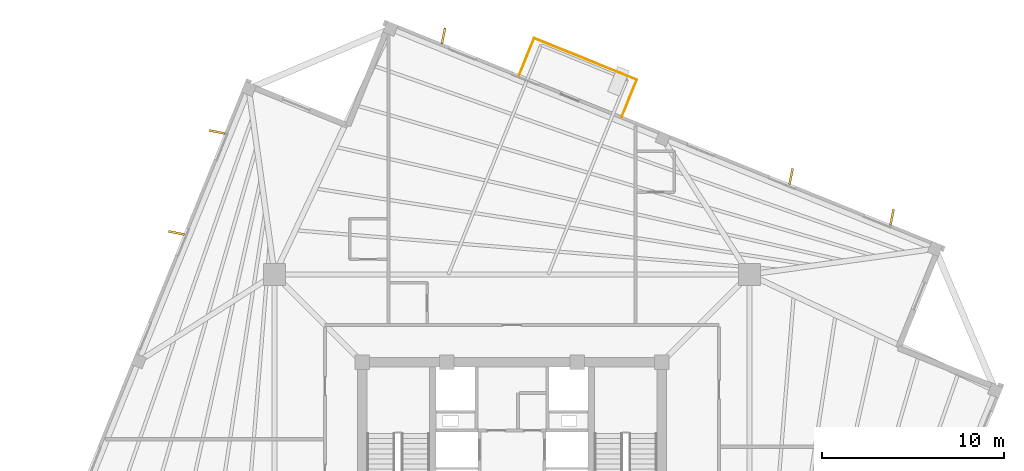
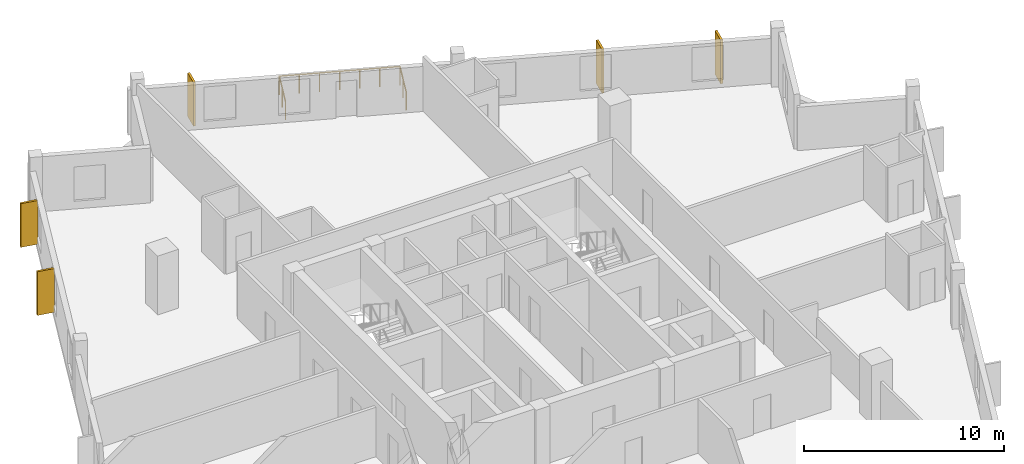
# One storey, part 8 of 8: 5 coverings, 3 railings.
"""IFC4 building model written with IfcOpenShell, lengths in metres."""

from ifc_helpers import new_model, si_unit, direction, frame, origin, origin_2d, place, context, subcontext, project, spatial, rectangle, circle, extrude, source, transform, mapped, material, layer, layer_set, type_object, element, save


model = new_model("IFC4")

# Units and contexts
model_context = context("Model", 3, precision=1e-05, world=origin(), true_north=direction((0.0, 1.0)))
body_context = subcontext(model_context, "Body", "Model", "MODEL_VIEW")
ifc_project = project(units=[si_unit("LENGTHUNIT", "METRE"), si_unit("AREAUNIT", "SQUARE_METRE"), si_unit("VOLUMEUNIT", "CUBIC_METRE"), si_unit("PLANEANGLEUNIT", "RADIAN"), si_unit("MASSUNIT", "GRAM", prefix="KILO"), si_unit("THERMODYNAMICTEMPERATUREUNIT", "KELVIN")], contexts=[model_context])

# Site, building, storey
site_placement = place(None, origin())
site = spatial("IfcSite", under=ifc_project, at=site_placement, CompositionType="ELEMENT")
building_placement = place(site_placement, origin())
building = spatial("IfcBuilding", under=site, at=building_placement, Name="Kosmvard Interchange Tower", CompositionType="ELEMENT")
storey_placement = place(building_placement, frame((0.0, 0.0, 265.199951171875)))
storey = spatial("IfcBuildingStorey", under=building, at=storey_placement, Name="L64", CompositionType="ELEMENT", Elevation=265.199951171875)

# Coverings
ifc_material_1 = material(Name="Architectural anodised aluminium", Category="aluminium")
ifc_layer = layer(ifc_material_1, 0.1201171875, Name="Architectural anodised aluminium")
ifc_layer_set = layer_set([ifc_layer], Name="Architectural anodised aluminium")
covering_type = type_object("IfcCoveringType", Name="Rotating Vertical Sun-Breaker Fin 900x120 Aluminium", PredefinedType="CLADDING", material=ifc_layer_set)
shared_shape_1 = source(origin(), body_context, "Body", "SweptSolid", [
    extrude(rectangle(XDim=0.89990234375, YDim=0.1201171875, at=origin_2d()), origin(), (0.0, 0.0, 1.0), 2.669921875),
])
for number, where, z_axis, x_axis, name in (
    (1, (20.932373046875, 16.2412109375, 0.0400390625), (0.0, 0.0, 1.0), (0.197828426963, 0.980236661978, 0.0), "L64 Rotating Vertical Sun-Breaker Fin 05"),
    (2, (15.373046875, 18.4873046875, 0.0400390625), (0.0, 0.0, 1.0), (0.197828426963, 0.980236661978, 0.0), "L64 Rotating Vertical Sun-Breaker Fin 06"),
    (3, (-3.775390625, 26.223876953125, 0.0400390625), (0.0, 0.0, 1.0), (0.197828426963, 0.980236661978, 0.0), "L64 Rotating Vertical Sun-Breaker Fin 07"),
    (4, (-16.2412109375, 20.932373046875, 0.0400390625), (0.0, 0.0, 1.0), (-0.980236661978, 0.197828426963, 0.0), "L64 Rotating Vertical Sun-Breaker Fin 08"),
    (5, (-18.4873046875, 15.373046875, 0.0400390625), (0.0, 0.0, 1.0), (-0.980236661978, 0.197828426963, 0.0), "L64 Rotating Vertical Sun-Breaker Fin 09"),
):
    element("IfcCovering", number, at=place(storey_placement, frame(where, z_axis=z_axis, x_axis=x_axis)), inside=storey, type_object=covering_type, Name=name, PredefinedType="CLADDING", context=body_context, shape_type="MappedRepresentation", body=[
        mapped(shared_shape_1, transform((0.0, 0.0, 0.0), scale=1.0)),
    ])

# Railings
ifc_material_2 = material(Name="Steel S355", Category="steel")
railing_type = type_object("IfcRailingType", Name="Observation & Balcony Glass-Infill Balustrade 1150", PredefinedType="BALUSTRADE", material=ifc_material_2)
shared_shape_2 = source(origin(), body_context, "Body", "SweptSolid", [
    extrude(circle(Radius=0.02392578125, at=origin_2d()), frame((0.0, 0.0, 1.1259765625), z_axis=(0.374545618852, 0.927208487558, 0.0), x_axis=(-0.927208487558, 0.374545618852, 0.0)), (0.0, 0.0, 1.0), 2.199951171875),
    extrude(circle(Radius=0.02099609375, at=origin_2d()), origin(), (0.0, 0.0, 1.0), 1.101806640625),
    extrude(circle(Radius=0.02099609375, at=origin_2d()), frame((0.412109375, 1.02001953125, 0.0)), (0.0, 0.0, 1.0), 1.101806640625),
    extrude(circle(Radius=0.02099609375, at=origin_2d()), frame((0.823974609375, 2.039794921875, 0.0)), (0.0, 0.0, 1.0), 1.101806640625),
])
railing_1_placement = place(storey_placement, frame((6.045654296875, 21.7705078125, 0.0)))
element("IfcRailing", 6, at=railing_1_placement, inside=storey, type_object=railing_type, Name="L64 Outdoor Terrace Guard BAL-L64-E-A", PredefinedType="BALUSTRADE", context=body_context, shape_type="MappedRepresentation", body=[
    mapped(shared_shape_2, transform((0.0, 0.0, 0.0), scale=1.0)),
])
shared_shape_3 = source(origin(), body_context, "Body", "SweptSolid", [
    extrude(circle(Radius=0.02392578125, at=origin_2d()), frame((0.0, 0.0, 1.1259765625), z_axis=(-0.927179288599, 0.374617894384, 0.0), x_axis=(-0.374617894384, -0.927179288599, 0.0)), (0.0, 0.0, 1.0), 6.099853515625),
    extrude(circle(Radius=0.02099609375, at=origin_2d()), origin(), (0.0, 0.0, 1.0), 1.101806640625),
    extrude(circle(Radius=0.02099609375, at=origin_2d()), frame((-0.942626953125, 0.380859375, 0.0)), (0.0, 0.0, 1.0), 1.101806640625),
    extrude(circle(Radius=0.02099609375, at=origin_2d()), frame((-1.88525390625, 0.76171875, 0.0)), (0.0, 0.0, 1.0), 1.101806640625),
    extrude(circle(Radius=0.02099609375, at=origin_2d()), frame((-2.827880859375, 1.142578125, 0.0)), (0.0, 0.0, 1.0), 1.101806640625),
    extrude(circle(Radius=0.02099609375, at=origin_2d()), frame((-3.7705078125, 1.5234375, 0.0)), (0.0, 0.0, 1.0), 1.101806640625),
    extrude(circle(Radius=0.02099609375, at=origin_2d()), frame((-4.713134765625, 1.904296875, 0.0)), (0.0, 0.0, 1.0), 1.101806640625),
    extrude(circle(Radius=0.02099609375, at=origin_2d()), frame((-5.65576171875, 2.28515625, 0.0)), (0.0, 0.0, 1.0), 1.101806640625),
])
railing_2_placement = place(storey_placement, frame((6.86962890625, 23.810302734375, 0.0)))
element("IfcRailing", 7, at=railing_2_placement, inside=storey, type_object=railing_type, Name="L64 Outdoor Terrace Guard BAL-L64-E-B", PredefinedType="BALUSTRADE", context=body_context, shape_type="MappedRepresentation", body=[
    mapped(shared_shape_3, transform((0.0, 0.0, 0.0), scale=1.0)),
])
shared_shape_4 = source(origin(), body_context, "Body", "SweptSolid", [
    extrude(circle(Radius=0.02392578125, at=origin_2d()), frame((0.0, 0.0, 1.1259765625), z_axis=(-0.374545618852, -0.927208487558, 0.0), x_axis=(0.927208487558, -0.374545618852, 0.0)), (0.0, 0.0, 1.0), 2.199951171875),
    extrude(circle(Radius=0.02099609375, at=origin_2d()), origin(), (0.0, 0.0, 1.0), 1.101806640625),
    extrude(circle(Radius=0.02099609375, at=origin_2d()), frame((-0.412109375, -1.02001953125, 0.0)), (0.0, 0.0, 1.0), 1.101806640625),
    extrude(circle(Radius=0.02099609375, at=origin_2d()), frame((-0.823974609375, -2.039794921875, 0.0)), (0.0, 0.0, 1.0), 1.101806640625),
])
railing_3_placement = place(storey_placement, frame((1.2138671875, 26.095458984375, 0.0)))
element("IfcRailing", 8, at=railing_3_placement, inside=storey, type_object=railing_type, Name="L64 Outdoor Terrace Guard BAL-L64-E-C", PredefinedType="BALUSTRADE", context=body_context, shape_type="MappedRepresentation", body=[
    mapped(shared_shape_4, transform((0.0, 0.0, 0.0), scale=1.0)),
])

save(model, "model.ifc")
